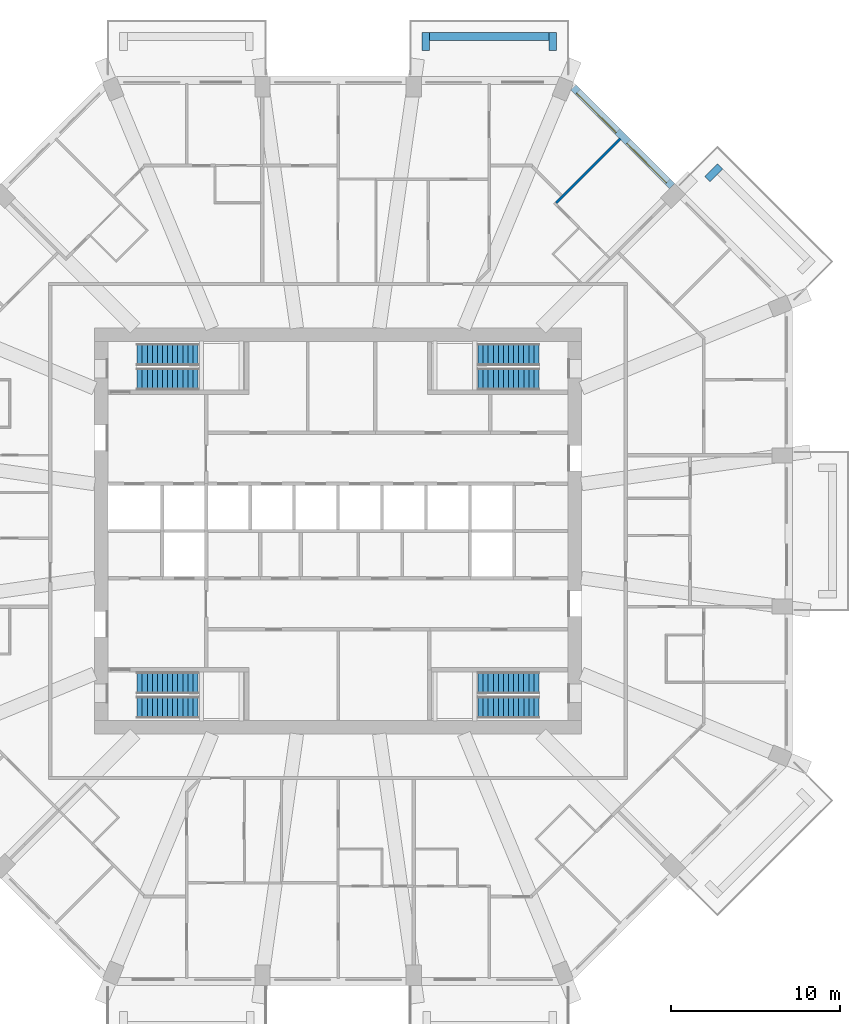
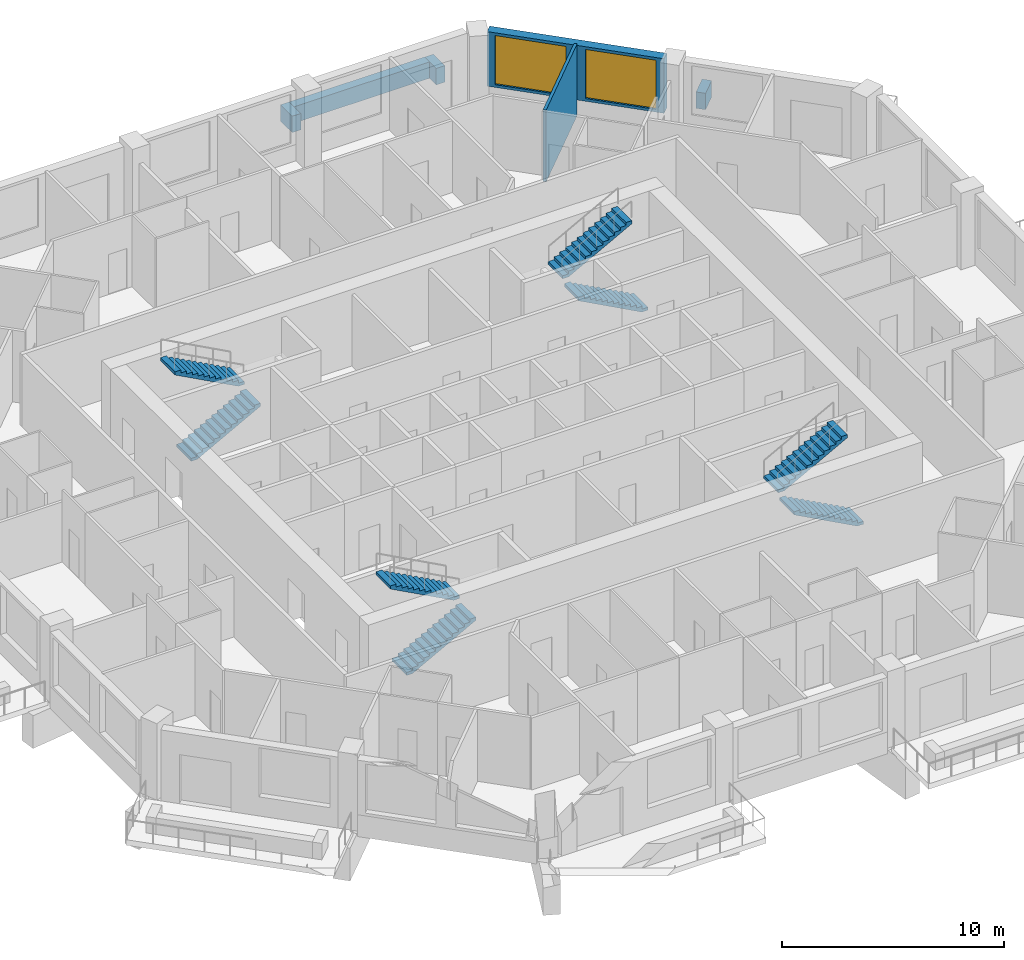
# One storey, part 11 of 13: 8 stair flights, 6 walls, 2 windows, 2 openings, 4 elements without a shape of their own.
"""IFC4 building model written with IfcOpenShell, lengths in metres."""

import ifcopenshell
import ifcopenshell.guid

model = None  # the IFC model being written
_history = None  # IfcOwnerHistory: only IFC2X3 demands one
_inside = {}  # id of a spatial element -> (the spatial element, [elements in it])
_under = {}  # id of a project, library or spatial element -> (it, [spatial elements below it])
_declared = {}  # id of a project -> (the project, [libraries it declares])
_typed = {}  # id of a type object -> (the type object, [elements of that type])
_made_of = {}  # id of a material, layer set ... -> (it, [elements and type objects made of it])


def new_model(schema):
    """Start an empty IFC model of exactly this schema.

    Asked for "IFC4X3", IfcOpenShell would pick the latest addendum, in which some entities
    have other attributes; the version numbers below select the first issue.
    IFC2X3 requires an IfcOwnerHistory on every rooted entity: one is made here for all.
    """
    global model, _history
    if schema == "IFC4X3":
        model = ifcopenshell.file(schema_version=(4, 3, 0, 0))
    else:
        model = ifcopenshell.file(schema=schema)
    _inside.clear()
    _under.clear()
    _declared.clear()
    _typed.clear()
    _made_of.clear()
    _history = None
    if model.schema == "IFC2X3":
        org = make("IfcOrganization", Name="unknown")
        user = make(
            "IfcPersonAndOrganization",
            ThePerson=make("IfcPerson", FamilyName="unknown"),
            TheOrganization=org,
        )
        app = make(
            "IfcApplication",
            ApplicationDeveloper=org,
            Version="unknown",
            ApplicationFullName="unknown",
            ApplicationIdentifier="unknown",
        )
        _history = make(
            "IfcOwnerHistory",
            OwningUser=user,
            OwningApplication=app,
            ChangeAction="ADDED",
            CreationDate=0,
        )
    return model


def make(cls, **values):
    """One entity of the class cls with the attributes given. An attribute that is None is left unset."""
    return model.create_entity(
        cls, **{name: value for name, value in values.items() if value is not None}
    )


def rooted(cls, **values):
    """An entity with a GlobalId (a new one), such as an element, a storey or a relation."""
    return make(cls, GlobalId=ifcopenshell.guid.new(), OwnerHistory=_history, **values)


def si_unit(unit_type, name, prefix=None):
    """IfcSIUnit, for example si_unit("LENGTHUNIT", "METRE", prefix="MILLI")."""
    return make("IfcSIUnit", UnitType=unit_type, Prefix=prefix, Name=name)


def assignment(units):
    """IfcUnitAssignment: the units of a project."""
    return None if units is None else make("IfcUnitAssignment", Units=units)


def point(xyz):
    """IfcCartesianPoint."""
    return None if xyz is None else make("IfcCartesianPoint", Coordinates=xyz)


def direction(xyz):
    """IfcDirection."""
    return None if xyz is None else make("IfcDirection", DirectionRatios=xyz)


def frame(location, z_axis=None, x_axis=None):
    """IfcAxis2Placement3D, a coordinate frame: its origin and axes. An axis left out is left unset."""
    return make(
        "IfcAxis2Placement3D",
        Location=point(location),
        Axis=direction(z_axis),
        RefDirection=direction(x_axis),
    )


def frame_2d(location, x_axis=None):
    """IfcAxis2Placement2D, a coordinate frame in the plane: its origin and x axis."""
    return make(
        "IfcAxis2Placement2D", Location=point(location), RefDirection=direction(x_axis)
    )


def origin():
    """The frame at (0, 0, 0) with its axes left unset."""
    return frame((0.0, 0.0, 0.0))


def place(relative_to, where):
    """IfcLocalPlacement: puts the frame where relative to a parent placement (None: the world)."""
    return make(
        "IfcLocalPlacement", PlacementRelTo=relative_to, RelativePlacement=where
    )


def context(
    kind, dimensions, precision=None, world=None, true_north=None, identifier=None
):
    """IfcGeometricRepresentationContext, for example the 3D "Model" context."""
    return make(
        "IfcGeometricRepresentationContext",
        ContextIdentifier=identifier,
        ContextType=kind,
        CoordinateSpaceDimension=dimensions,
        Precision=precision,
        WorldCoordinateSystem=world,
        TrueNorth=true_north,
    )


def subcontext(parent, identifier, kind, view, scale=None):
    """IfcGeometricRepresentationSubContext, for example "Body" below "Model"."""
    return make(
        "IfcGeometricRepresentationSubContext",
        ContextIdentifier=identifier,
        ContextType=kind,
        ParentContext=parent,
        TargetScale=scale,
        TargetView=view,
    )


def project(units=None, contexts=None):
    """IfcProject with its units and contexts."""
    return rooted(
        "IfcProject",
        Name="project",
        RepresentationContexts=contexts,
        UnitsInContext=assignment(units),
    )


def spatial(cls, under=None, at=None, **own):
    """A site, building, storey or space (cls), placed at a placement, below another one or the project."""
    s = rooted(cls, ObjectPlacement=at, **own)
    if under is not None:
        _under.setdefault(under.id(), (under, []))[1].append(s)
    return s


def polyline(points):
    """IfcPolyline through the points."""
    return make("IfcPolyline", Points=[point(p) for p in points])


def profile(cls, at=None, kind="AREA", **sizes):
    """A parametric profile (cls). Its sizes go by their IFC names, for example OverallWidth=200.0."""
    return make(cls, ProfileType=kind, Position=at, **sizes)


def rectangle(**sizes):
    """IfcRectangleProfileDef."""
    return profile("IfcRectangleProfileDef", **sizes)


def outline(outer, holes=None, kind="AREA"):
    """IfcArbitraryClosedProfileDef: a profile drawn as a closed curve; with holes, ...WithVoids."""
    if holes is None:
        return make("IfcArbitraryClosedProfileDef", ProfileType=kind, OuterCurve=outer)
    return make(
        "IfcArbitraryProfileDefWithVoids",
        ProfileType=kind,
        OuterCurve=outer,
        InnerCurves=holes,
    )


def extrude(swept, where, along, depth):
    """IfcExtrudedAreaSolid: the profile swept, set in the frame where, extruded along a direction by depth."""
    return make(
        "IfcExtrudedAreaSolid",
        SweptArea=swept,
        Position=where,
        ExtrudedDirection=direction(along),
        Depth=depth,
    )


def shape(context_of_items, identifier, shape_type, items):
    """IfcShapeRepresentation: the items that make up one representation, for example the "Body"."""
    return make(
        "IfcShapeRepresentation",
        ContextOfItems=context_of_items,
        RepresentationIdentifier=identifier,
        RepresentationType=shape_type,
        Items=items,
    )


def material(Name=None, Category=None):
    """IfcMaterial."""
    return make("IfcMaterial", Name=Name, Category=Category)


def layer(
    of_material, thickness, ventilated=None, Name=None, Category=None, Priority=None
):
    """IfcMaterialLayer: one layer of a wall or slab, of a material (None: an air gap)."""
    return make(
        "IfcMaterialLayer",
        Material=of_material,
        LayerThickness=thickness,
        IsVentilated=ventilated,
        Name=Name,
        Category=Category,
        Priority=Priority,
    )


def layer_set(layers, Name=None):
    """IfcMaterialLayerSet."""
    return make("IfcMaterialLayerSet", MaterialLayers=layers, LayerSetName=Name)


def made_of(thing, what):
    """Note that an element or type object is made of a material, layer set ...; save() writes the relation."""
    if what is not None:
        _made_of.setdefault(what.id(), (what, []))[1].append(thing)
    return thing


def type_object(cls, material=None, **own):
    """A type object (cls), such as IfcWallType, which elements share."""
    return made_of(rooted(cls, **own), material)


def element(
    cls,
    number,
    at=None,
    inside=None,
    cuts=None,
    type_object=None,
    material=None,
    context=None,
    identifier="Body",
    shape_type=None,
    held_by="IfcProductDefinitionShape",
    body=None,
    shapes=None,
    **own,
):
    """One element of the class cls, such as IfcWall. Its Tag is "e" and its number.

    at: its placement. inside: the storey or other place that contains it. cuts: it is an
    opening in that element (IfcRelVoidsElement). A single representation is given by context,
    identifier, shape_type and body (its items); several are given by shapes. held_by: the class
    of the entity that holds the representations. save() writes the other relations.
    """
    e = rooted(cls, Tag="e%d" % number, ObjectPlacement=at, **own)
    if body is not None:
        shapes = [shape(context, identifier, shape_type, body)]
    if shapes is not None:
        e.Representation = make(held_by, Representations=shapes)
    if inside is not None:
        _inside.setdefault(inside.id(), (inside, []))[1].append(e)
    if cuts is not None:
        rooted(
            "IfcRelVoidsElement", RelatingBuildingElement=cuts, RelatedOpeningElement=e
        )
    if type_object is not None:
        _typed.setdefault(type_object.id(), (type_object, []))[1].append(e)
    return made_of(e, material)


def fill(opening, filler):
    """IfcRelFillsElement: the door or window that sits in an opening."""
    return rooted(
        "IfcRelFillsElement",
        RelatingOpeningElement=opening,
        RelatedBuildingElement=filler,
    )


def aggregate(whole, parts):
    """IfcRelAggregates: a whole, such as a stair, and the parts it consists of."""
    return rooted("IfcRelAggregates", RelatingObject=whole, RelatedObjects=parts)


def save(model, path):
    """Write the relations noted so far, then the file.

    IfcRelAggregates (storeys below a building ...), IfcRelContainedInSpatialStructure (elements
    in a storey), IfcRelDefinesByType, IfcRelAssociatesMaterial and IfcRelDeclares: one each for
    every whole, place, type object, material and project.
    """
    for whole, parts in _under.values():
        aggregate(whole, parts)
    for where, things in _inside.values():
        rooted(
            "IfcRelContainedInSpatialStructure",
            RelatedElements=things,
            RelatingStructure=where,
        )
    for kind, things in _typed.values():
        rooted("IfcRelDefinesByType", RelatedObjects=things, RelatingType=kind)
    for what, things in _made_of.values():
        rooted("IfcRelAssociatesMaterial", RelatedObjects=things, RelatingMaterial=what)
    for by, libraries in _declared.values():
        rooted("IfcRelDeclares", RelatingContext=by, RelatedDefinitions=libraries)
    model.write(path)


model = new_model("IFC4")

# Units and contexts
model_context = context("Model", 3, precision=1e-05, world=origin(), true_north=direction((0.0, 1.0)))
body_context = subcontext(model_context, "Body", "Model", "MODEL_VIEW")
ifc_project = project(units=[si_unit("LENGTHUNIT", "METRE"), si_unit("AREAUNIT", "SQUARE_METRE"), si_unit("VOLUMEUNIT", "CUBIC_METRE"), si_unit("PLANEANGLEUNIT", "RADIAN"), si_unit("MASSUNIT", "GRAM", prefix="KILO")], contexts=[model_context])

# Site, building, storey
site_placement = place(None, origin())
site = spatial("IfcSite", under=ifc_project, at=site_placement, CompositionType="ELEMENT")
building_placement = place(site_placement, origin())
building = spatial("IfcBuilding", under=site, at=building_placement, Name="Msitu Wima Residences", CompositionType="ELEMENT")
storey_placement = place(building_placement, frame((0.0, 0.0, 106.5)))
storey = spatial("IfcBuildingStorey", under=building, at=storey_placement, Name="L24", CompositionType="ELEMENT", Elevation=106.5)

# Walls
ifc_material_1 = material(Name="Facing brick")
ifc_layer_1 = layer(ifc_material_1, 0.06494140625, Name="Facing brick")
ifc_material_2 = material(Name="Concrete C40/50", Category="concrete")
ifc_layer_2 = layer(ifc_material_2, 0.156005859375, Name="Concrete C40/50")
ifc_material_3 = material(Name="Waterproofing membrane")
ifc_layer_3 = layer(ifc_material_3, 0.00390625, Name="Waterproofing membrane")
ifc_material_4 = material(Name="Planting soil and planting")
ifc_layer_4 = layer(ifc_material_4, 0.22509765625, Name="Planting soil and planting")
ifc_layer_set_1 = layer_set([ifc_layer_1, ifc_layer_2, ifc_layer_3, ifc_layer_4], Name="Concrete C40/50")
wall_type_1 = type_object("IfcWallType", Name="Balcony planter PLANTER PL450", PredefinedType="USERDEFINED", material=ifc_layer_set_1)
wall_1_placement = place(storey_placement, frame((21.829833984375, 20.804443359375, 0.0), z_axis=(0.0, 0.0, 1.0), x_axis=(0.707106781187, 0.707106781187, 0.0)))
element("IfcWall", 1, at=wall_1_placement, inside=storey, type_object=wall_type_1, Name="Balcony planter NE0 L24", ObjectType="PLANTER", PredefinedType="USERDEFINED", context=body_context, shape_type="SweptSolid", body=[
    extrude(rectangle(XDim=1.050048828125, YDim=0.449951171875, at=frame_2d((0.52490234375, 0.0))), origin(), (0.0, 0.0, 1.0), 0.89990234375),
])
wall_2_placement = place(storey_placement, frame((12.455810546875, 29.22509765625, 0.0), z_axis=(0.0, 0.0, 1.0), x_axis=(-1.0, 0.0, 0.0)))
element("IfcWall", 2, at=wall_2_placement, inside=storey, type_object=wall_type_1, Name="Balcony planter N0 L24", ObjectType="PLANTER", PredefinedType="USERDEFINED", context=body_context, shape_type="SweptSolid", body=[
    extrude(rectangle(XDim=7.037109375, YDim=0.449951171875, at=frame_2d((3.5185546875, 0.0))), origin(), (0.0, 0.0, 1.0), 0.89990234375),
])
for number, where, z_axis, x_axis, name in (
    (3, (12.680908203125, 28.39990234375, 0.0), (0.0, 0.0, 1.0), (0.0, 1.0, 0.0), "Balcony planter N0 L24"),
    (4, (5.193603515625, 28.39990234375, 0.0), (0.0, 0.0, 1.0), (0.0, 1.0, 0.0), "Balcony planter N0 L24"),
):
    element("IfcWall", number, at=place(storey_placement, frame(where, z_axis=z_axis, x_axis=x_axis)), inside=storey, type_object=wall_type_1, Name=name, ObjectType="PLANTER", PredefinedType="USERDEFINED", context=body_context, shape_type="SweptSolid", body=[
        extrude(rectangle(XDim=1.050048828125, YDim=0.449951171875, at=frame_2d((0.52490234375, 0.0))), origin(), (0.0, 0.0, 1.0), 0.89990234375),
    ])

# Wall, openings, windows
ifc_material_5 = material(Name="Brick (red buff mix)", Category="masonry")
ifc_layer_5 = layer(ifc_material_5, 0.449951171875)
ifc_layer_set_2 = layer_set([ifc_layer_5], Name="Brick (red buff mix)")
wall_type_2 = type_object("IfcWallType", Name="Brick infill wall BW450", PredefinedType="SOLIDWALL", material=ifc_layer_set_2)
wall_3_placement = place(storey_placement, frame((19.743896484375, 20.380126953125, 0.89990234375), z_axis=(0.0, 0.0, 1.0), x_axis=(-0.707106781187, 0.707106781187, 0.0)))
wall_3 = element("IfcWall", 5, at=wall_3_placement, inside=storey, type_object=wall_type_2, Name="Brick infill wall L24 NE1", PredefinedType="SOLIDWALL", context=body_context, shape_type="SweptSolid", body=[
    extrude(rectangle(XDim=8.251220703125, YDim=0.449951171875, at=frame_2d((4.12548828125, 0.0))), origin(), (0.0, 0.0, 1.0), 3.0),
])
opening_1_placement = place(wall_3_placement, frame((0.37548828125, 0.0, 0.14990234375)))
opening_1 = element("IfcOpeningElement", 6, at=opening_1_placement, cuts=wall_3, Name="Opening W24.011", PredefinedType="OPENING", context=body_context, shape_type="SweptSolid", body=[
    extrude(rectangle(XDim=3.300048828125, YDim=2.699951171875, at=frame_2d((1.64990234375, 1.35009765625))), frame((0.0, 0.23486328125, 0.0), z_axis=(0.0, -1.0, 0.0), x_axis=(1.0, 0.0, 0.0)), (0.0, 0.0, 1.0), 0.469970703125),
])
opening_2_placement = place(wall_3_placement, frame((4.57568359375, 0.0, 0.14990234375)))
opening_2 = element("IfcOpeningElement", 7, at=opening_2_placement, cuts=wall_3, Name="Opening W24.012", PredefinedType="OPENING", context=body_context, shape_type="SweptSolid", body=[
    extrude(rectangle(XDim=3.300048828125, YDim=2.699951171875, at=frame_2d((1.64990234375, 1.35009765625))), frame((0.0, 0.23486328125, 0.0), z_axis=(0.0, -1.0, 0.0), x_axis=(1.0, 0.0, 0.0)), (0.0, 0.0, 1.0), 0.469970703125),
])
ifc_material_6 = material(Name="Anodised aluminium, bronze finish, clear low-emissivity double glazing", Category="aluminium")
window_type = type_object("IfcWindowType", Name="Window W3300x2700", PartitioningType="DOUBLE_PANEL_VERTICAL", PredefinedType="WINDOW", material=ifc_material_6)
window_1_placement = place(opening_1_placement, origin())
window_1 = element("IfcWindow", 8, at=window_1_placement, inside=storey, type_object=window_type, Name="Window L24 NE1.1", OverallHeight=2.699951171875, OverallWidth=3.300048828125, PartitioningType="SINGLE_PANEL", PredefinedType="WINDOW", context=body_context, shape_type="SweptSolid", body=[
    extrude(rectangle(XDim=3.300048828125, YDim=2.699951171875, at=frame_2d((1.64990234375, 1.35009765625))), frame((0.0, 0.135009765625, 0.0), z_axis=(0.0, -1.0, 0.0), x_axis=(1.0, 0.0, 0.0)), (0.0, 0.0, 1.0), 0.06005859375),
])
fill(opening_1, window_1)
window_2_placement = place(opening_2_placement, origin())
window_2 = element("IfcWindow", 9, at=window_2_placement, inside=storey, type_object=window_type, Name="Window L24 NE1.2", OverallHeight=2.699951171875, OverallWidth=3.300048828125, PartitioningType="SINGLE_PANEL", PredefinedType="WINDOW", context=body_context, shape_type="SweptSolid", body=[
    extrude(rectangle(XDim=3.300048828125, YDim=2.699951171875, at=frame_2d((1.64990234375, 1.35009765625))), frame((0.0, 0.135009765625, 0.0), z_axis=(0.0, -1.0, 0.0), x_axis=(1.0, 0.0, 0.0)), (0.0, 0.0, 1.0), 0.06005859375),
])
fill(opening_2, window_2)

# Wall
ifc_material_7 = material(Name="Plaster")
ifc_layer_6 = layer(ifc_material_7, 0.011962890625, Name="Plaster")
ifc_material_8 = material(Name="Concrete blockwork", Category="masonry")
ifc_layer_7 = layer(ifc_material_8, 0.1259765625, Name="Concrete blockwork")
ifc_layer_8 = layer(ifc_material_7, 0.011962890625, Name="Plaster")
ifc_layer_set_3 = layer_set([ifc_layer_6, ifc_layer_7, ifc_layer_8], Name="Concrete blockwork")
wall_type_3 = type_object("IfcWallType", Name="Partition PW150", PredefinedType="PARTITIONING", material=ifc_layer_set_3)
wall_4_placement = place(storey_placement, frame((12.88916015625, 19.38623046875, 0.0), z_axis=(0.0, 0.0, 1.0), x_axis=(0.707106781187, 0.707106781187, 0.0)))
element("IfcWall", 10, at=wall_4_placement, inside=storey, type_object=wall_type_3, Name="Partition", PredefinedType="PARTITIONING", context=body_context, shape_type="SweptSolid", body=[
    extrude(rectangle(XDim=5.3798828125, YDim=0.14990234375, at=frame_2d((2.68994140625, 0.0))), origin(), (0.0, 0.0, 1.0), 3.949951171875),
])

# Stair, stair flights
stair_type = type_object("IfcStairType", Name="Exit stair ES1615-130", PredefinedType="HALF_TURN_STAIR", material=ifc_material_2)
stair_1_placement = place(storey_placement, origin())
stair_1 = element("IfcStair", 11, at=stair_1_placement, inside=storey, type_object=stair_type, Name="Exit stair 1", PredefinedType="HALF_TURN_STAIR")
stair_flight_type = type_object("IfcStairFlightType", Name="Exit stair flight ES1615-130", PredefinedType="STRAIGHT", material=ifc_material_2)
stair_flight_1_placement = place(storey_placement, frame((-11.875, 8.97509765625, 0.0), z_axis=(0.0, 0.0, 1.0), x_axis=(1.0, 0.0, 0.0)))
stair_flight_1 = element("IfcStairFlight", 12, at=stair_flight_1_placement, type_object=stair_flight_type, Name="S1 flight 1", NumberOfRisers=13, NumberOfTreads=12, PredefinedType="STRAIGHT", RiserHeight=0.161538462, TreadLength=0.3, context=body_context, shape_type="SweptSolid", body=[
    extrude(outline(polyline([(0.0, 0.0), (0.0, 0.16162109375), (0.300048828125, 0.16162109375), (0.300048828125, 0.322998046875), (0.60009765625, 0.322998046875), (0.60009765625, 0.484619140625), (0.89990234375, 0.484619140625), (0.89990234375, 0.646240234375), (1.199951171875, 0.646240234375), (1.199951171875, 0.8076171875), (1.5, 0.8076171875), (1.5, 0.96923828125), (1.800048828125, 0.96923828125), (1.800048828125, 1.130859375), (2.10009765625, 1.130859375), (2.10009765625, 1.292236328125), (2.39990234375, 1.292236328125), (2.39990234375, 1.453857421875), (2.699951171875, 1.453857421875), (2.699951171875, 1.615478515625), (3.0, 1.615478515625), (3.0, 1.77685546875), (3.300048828125, 1.77685546875), (3.300048828125, 1.9384765625), (3.60009765625, 1.9384765625), (3.60009765625, 2.10009765625), (3.60009765625, 1.768310546875), (0.316162109375, 0.0), (0.0, 0.0)])), frame((0.0, 0.64990234375, 0.0), z_axis=(0.0, -1.0, 0.0), x_axis=(1.0, 0.0, 0.0)), (0.0, 0.0, 1.0), 1.300048828125),
])
stair_flight_2_placement = place(storey_placement, frame((-8.27490234375, 10.425048828125, 2.10009765625), z_axis=(0.0, 0.0, 1.0), x_axis=(-1.0, 0.0, 0.0)))
stair_flight_2 = element("IfcStairFlight", 13, at=stair_flight_2_placement, type_object=stair_flight_type, Name="S1 flight 2", NumberOfRisers=13, NumberOfTreads=12, PredefinedType="STRAIGHT", RiserHeight=0.161538462, TreadLength=0.3, context=body_context, shape_type="SweptSolid", body=[
    extrude(outline(polyline([(0.0, 0.0), (0.0, 0.16162109375), (0.300048828125, 0.16162109375), (0.300048828125, 0.322998046875), (0.60009765625, 0.322998046875), (0.60009765625, 0.484619140625), (0.89990234375, 0.484619140625), (0.89990234375, 0.646240234375), (1.199951171875, 0.646240234375), (1.199951171875, 0.8076171875), (1.5, 0.8076171875), (1.5, 0.96923828125), (1.800048828125, 0.96923828125), (1.800048828125, 1.130859375), (2.10009765625, 1.130859375), (2.10009765625, 1.292236328125), (2.39990234375, 1.292236328125), (2.39990234375, 1.453857421875), (2.699951171875, 1.453857421875), (2.699951171875, 1.615478515625), (3.0, 1.615478515625), (3.0, 1.77685546875), (3.300048828125, 1.77685546875), (3.300048828125, 1.9384765625), (3.60009765625, 1.9384765625), (3.60009765625, 2.10009765625), (3.60009765625, 1.768310546875), (0.316162109375, 0.0), (0.0, 0.0)])), frame((0.0, 0.64990234375, 0.0), z_axis=(0.0, -1.0, 0.0), x_axis=(1.0, 0.0, 0.0)), (0.0, 0.0, 1.0), 1.300048828125),
])
aggregate(stair_1, [stair_flight_1, stair_flight_2])

stair_2_placement = place(storey_placement, origin())
stair_2 = element("IfcStair", 14, at=stair_2_placement, inside=storey, type_object=stair_type, Name="Exit stair 2", PredefinedType="HALF_TURN_STAIR")
stair_flight_3_placement = place(storey_placement, frame((-11.875, -10.425048828125, 0.0), z_axis=(0.0, 0.0, 1.0), x_axis=(1.0, 0.0, 0.0)))
stair_flight_3 = element("IfcStairFlight", 15, at=stair_flight_3_placement, type_object=stair_flight_type, Name="S2 flight 1", NumberOfRisers=13, NumberOfTreads=12, PredefinedType="STRAIGHT", RiserHeight=0.161538462, TreadLength=0.3, context=body_context, shape_type="SweptSolid", body=[
    extrude(outline(polyline([(0.0, 0.0), (0.0, 0.16162109375), (0.300048828125, 0.16162109375), (0.300048828125, 0.322998046875), (0.60009765625, 0.322998046875), (0.60009765625, 0.484619140625), (0.89990234375, 0.484619140625), (0.89990234375, 0.646240234375), (1.199951171875, 0.646240234375), (1.199951171875, 0.8076171875), (1.5, 0.8076171875), (1.5, 0.96923828125), (1.800048828125, 0.96923828125), (1.800048828125, 1.130859375), (2.10009765625, 1.130859375), (2.10009765625, 1.292236328125), (2.39990234375, 1.292236328125), (2.39990234375, 1.453857421875), (2.699951171875, 1.453857421875), (2.699951171875, 1.615478515625), (3.0, 1.615478515625), (3.0, 1.77685546875), (3.300048828125, 1.77685546875), (3.300048828125, 1.9384765625), (3.60009765625, 1.9384765625), (3.60009765625, 2.10009765625), (3.60009765625, 1.768310546875), (0.316162109375, 0.0), (0.0, 0.0)])), frame((0.0, 0.64990234375, 0.0), z_axis=(0.0, -1.0, 0.0), x_axis=(1.0, 0.0, 0.0)), (0.0, 0.0, 1.0), 1.300048828125),
])
stair_flight_4_placement = place(storey_placement, frame((-8.27490234375, -8.97509765625, 2.10009765625), z_axis=(0.0, 0.0, 1.0), x_axis=(-1.0, 0.0, 0.0)))
stair_flight_4 = element("IfcStairFlight", 16, at=stair_flight_4_placement, type_object=stair_flight_type, Name="S2 flight 2", NumberOfRisers=13, NumberOfTreads=12, PredefinedType="STRAIGHT", RiserHeight=0.161538462, TreadLength=0.3, context=body_context, shape_type="SweptSolid", body=[
    extrude(outline(polyline([(0.0, 0.0), (0.0, 0.16162109375), (0.300048828125, 0.16162109375), (0.300048828125, 0.322998046875), (0.60009765625, 0.322998046875), (0.60009765625, 0.484619140625), (0.89990234375, 0.484619140625), (0.89990234375, 0.646240234375), (1.199951171875, 0.646240234375), (1.199951171875, 0.8076171875), (1.5, 0.8076171875), (1.5, 0.96923828125), (1.800048828125, 0.96923828125), (1.800048828125, 1.130859375), (2.10009765625, 1.130859375), (2.10009765625, 1.292236328125), (2.39990234375, 1.292236328125), (2.39990234375, 1.453857421875), (2.699951171875, 1.453857421875), (2.699951171875, 1.615478515625), (3.0, 1.615478515625), (3.0, 1.77685546875), (3.300048828125, 1.77685546875), (3.300048828125, 1.9384765625), (3.60009765625, 1.9384765625), (3.60009765625, 2.10009765625), (3.60009765625, 1.768310546875), (0.316162109375, 0.0), (0.0, 0.0)])), frame((0.0, 0.64990234375, 0.0), z_axis=(0.0, -1.0, 0.0), x_axis=(1.0, 0.0, 0.0)), (0.0, 0.0, 1.0), 1.300048828125),
])
aggregate(stair_2, [stair_flight_3, stair_flight_4])

stair_3_placement = place(storey_placement, origin())
stair_3 = element("IfcStair", 17, at=stair_3_placement, inside=storey, type_object=stair_type, Name="Exit stair 3", PredefinedType="HALF_TURN_STAIR")
stair_flight_5_placement = place(storey_placement, frame((11.875, 8.97509765625, 0.0), z_axis=(0.0, 0.0, 1.0), x_axis=(-1.0, 0.0, 0.0)))
stair_flight_5 = element("IfcStairFlight", 18, at=stair_flight_5_placement, type_object=stair_flight_type, Name="S3 flight 1", NumberOfRisers=13, NumberOfTreads=12, PredefinedType="STRAIGHT", RiserHeight=0.161538462, TreadLength=0.3, context=body_context, shape_type="SweptSolid", body=[
    extrude(outline(polyline([(0.0, 0.0), (0.0, 0.16162109375), (0.300048828125, 0.16162109375), (0.300048828125, 0.322998046875), (0.60009765625, 0.322998046875), (0.60009765625, 0.484619140625), (0.89990234375, 0.484619140625), (0.89990234375, 0.646240234375), (1.199951171875, 0.646240234375), (1.199951171875, 0.8076171875), (1.5, 0.8076171875), (1.5, 0.96923828125), (1.800048828125, 0.96923828125), (1.800048828125, 1.130859375), (2.10009765625, 1.130859375), (2.10009765625, 1.292236328125), (2.39990234375, 1.292236328125), (2.39990234375, 1.453857421875), (2.699951171875, 1.453857421875), (2.699951171875, 1.615478515625), (3.0, 1.615478515625), (3.0, 1.77685546875), (3.300048828125, 1.77685546875), (3.300048828125, 1.9384765625), (3.60009765625, 1.9384765625), (3.60009765625, 2.10009765625), (3.60009765625, 1.768310546875), (0.316162109375, 0.0), (0.0, 0.0)])), frame((0.0, 0.64990234375, 0.0), z_axis=(0.0, -1.0, 0.0), x_axis=(1.0, 0.0, 0.0)), (0.0, 0.0, 1.0), 1.300048828125),
])
stair_flight_6_placement = place(storey_placement, frame((8.27490234375, 10.425048828125, 2.10009765625), z_axis=(0.0, 0.0, 1.0), x_axis=(1.0, 0.0, 0.0)))
stair_flight_6 = element("IfcStairFlight", 19, at=stair_flight_6_placement, type_object=stair_flight_type, Name="S3 flight 2", NumberOfRisers=13, NumberOfTreads=12, PredefinedType="STRAIGHT", RiserHeight=0.161538462, TreadLength=0.3, context=body_context, shape_type="SweptSolid", body=[
    extrude(outline(polyline([(0.0, 0.0), (0.0, 0.16162109375), (0.300048828125, 0.16162109375), (0.300048828125, 0.322998046875), (0.60009765625, 0.322998046875), (0.60009765625, 0.484619140625), (0.89990234375, 0.484619140625), (0.89990234375, 0.646240234375), (1.199951171875, 0.646240234375), (1.199951171875, 0.8076171875), (1.5, 0.8076171875), (1.5, 0.96923828125), (1.800048828125, 0.96923828125), (1.800048828125, 1.130859375), (2.10009765625, 1.130859375), (2.10009765625, 1.292236328125), (2.39990234375, 1.292236328125), (2.39990234375, 1.453857421875), (2.699951171875, 1.453857421875), (2.699951171875, 1.615478515625), (3.0, 1.615478515625), (3.0, 1.77685546875), (3.300048828125, 1.77685546875), (3.300048828125, 1.9384765625), (3.60009765625, 1.9384765625), (3.60009765625, 2.10009765625), (3.60009765625, 1.768310546875), (0.316162109375, 0.0), (0.0, 0.0)])), frame((0.0, 0.64990234375, 0.0), z_axis=(0.0, -1.0, 0.0), x_axis=(1.0, 0.0, 0.0)), (0.0, 0.0, 1.0), 1.300048828125),
])
aggregate(stair_3, [stair_flight_5, stair_flight_6])

stair_4_placement = place(storey_placement, origin())
stair_4 = element("IfcStair", 20, at=stair_4_placement, inside=storey, type_object=stair_type, Name="Exit stair 4", PredefinedType="HALF_TURN_STAIR")
stair_flight_7_placement = place(storey_placement, frame((11.875, -10.425048828125, 0.0), z_axis=(0.0, 0.0, 1.0), x_axis=(-1.0, 0.0, 0.0)))
stair_flight_7 = element("IfcStairFlight", 21, at=stair_flight_7_placement, type_object=stair_flight_type, Name="S4 flight 1", NumberOfRisers=13, NumberOfTreads=12, PredefinedType="STRAIGHT", RiserHeight=0.161538462, TreadLength=0.3, context=body_context, shape_type="SweptSolid", body=[
    extrude(outline(polyline([(0.0, 0.0), (0.0, 0.16162109375), (0.300048828125, 0.16162109375), (0.300048828125, 0.322998046875), (0.60009765625, 0.322998046875), (0.60009765625, 0.484619140625), (0.89990234375, 0.484619140625), (0.89990234375, 0.646240234375), (1.199951171875, 0.646240234375), (1.199951171875, 0.8076171875), (1.5, 0.8076171875), (1.5, 0.96923828125), (1.800048828125, 0.96923828125), (1.800048828125, 1.130859375), (2.10009765625, 1.130859375), (2.10009765625, 1.292236328125), (2.39990234375, 1.292236328125), (2.39990234375, 1.453857421875), (2.699951171875, 1.453857421875), (2.699951171875, 1.615478515625), (3.0, 1.615478515625), (3.0, 1.77685546875), (3.300048828125, 1.77685546875), (3.300048828125, 1.9384765625), (3.60009765625, 1.9384765625), (3.60009765625, 2.10009765625), (3.60009765625, 1.768310546875), (0.316162109375, 0.0), (0.0, 0.0)])), frame((0.0, 0.64990234375, 0.0), z_axis=(0.0, -1.0, 0.0), x_axis=(1.0, 0.0, 0.0)), (0.0, 0.0, 1.0), 1.300048828125),
])
stair_flight_8_placement = place(storey_placement, frame((8.27490234375, -8.97509765625, 2.10009765625), z_axis=(0.0, 0.0, 1.0), x_axis=(1.0, 0.0, 0.0)))
stair_flight_8 = element("IfcStairFlight", 22, at=stair_flight_8_placement, type_object=stair_flight_type, Name="S4 flight 2", NumberOfRisers=13, NumberOfTreads=12, PredefinedType="STRAIGHT", RiserHeight=0.161538462, TreadLength=0.3, context=body_context, shape_type="SweptSolid", body=[
    extrude(outline(polyline([(0.0, 0.0), (0.0, 0.16162109375), (0.300048828125, 0.16162109375), (0.300048828125, 0.322998046875), (0.60009765625, 0.322998046875), (0.60009765625, 0.484619140625), (0.89990234375, 0.484619140625), (0.89990234375, 0.646240234375), (1.199951171875, 0.646240234375), (1.199951171875, 0.8076171875), (1.5, 0.8076171875), (1.5, 0.96923828125), (1.800048828125, 0.96923828125), (1.800048828125, 1.130859375), (2.10009765625, 1.130859375), (2.10009765625, 1.292236328125), (2.39990234375, 1.292236328125), (2.39990234375, 1.453857421875), (2.699951171875, 1.453857421875), (2.699951171875, 1.615478515625), (3.0, 1.615478515625), (3.0, 1.77685546875), (3.300048828125, 1.77685546875), (3.300048828125, 1.9384765625), (3.60009765625, 1.9384765625), (3.60009765625, 2.10009765625), (3.60009765625, 1.768310546875), (0.316162109375, 0.0), (0.0, 0.0)])), frame((0.0, 0.64990234375, 0.0), z_axis=(0.0, -1.0, 0.0), x_axis=(1.0, 0.0, 0.0)), (0.0, 0.0, 1.0), 1.300048828125),
])
aggregate(stair_4, [stair_flight_7, stair_flight_8])

save(model, "model.ifc")
